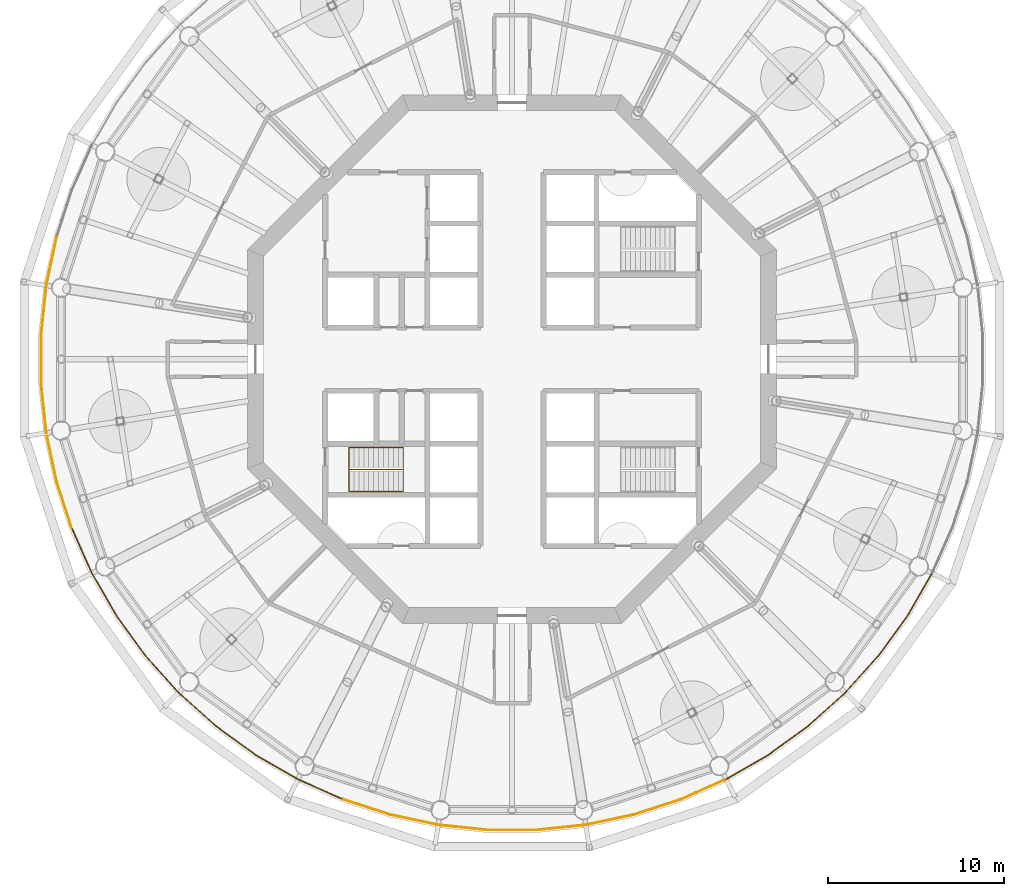
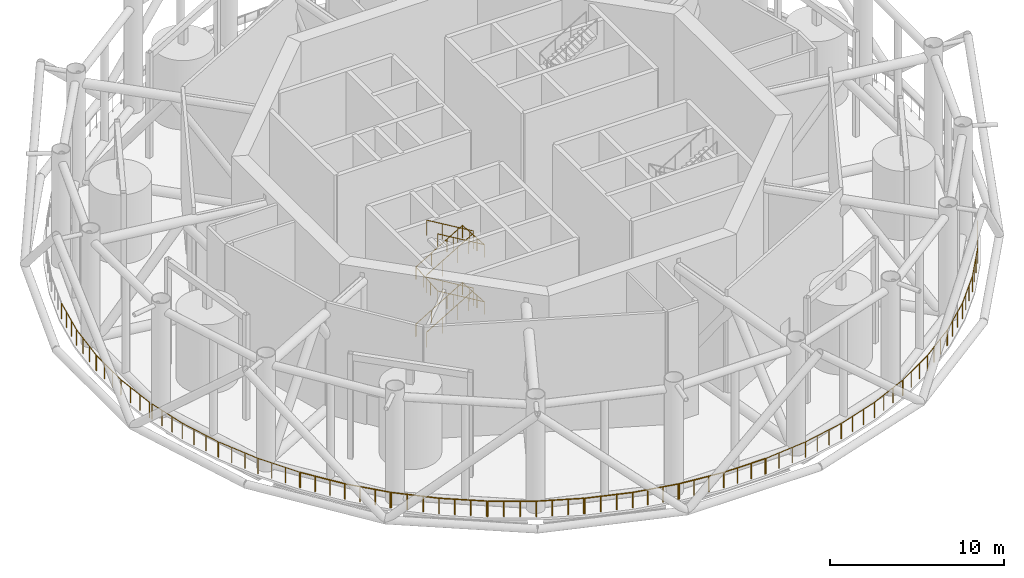
# One storey, part 19 of 22: 16 railings.
"""IFC4 building model written with IfcOpenShell, lengths in metres."""

from ifc_helpers import new_model, si_unit, direction, frame, origin, origin_2d, place, context, subcontext, project, spatial, circle, extrude, material, type_object, element, save


model = new_model("IFC4")

# Units and contexts
model_context = context("Model", 3, precision=1e-05, world=origin(), true_north=direction((0.0, 1.0)))
body_context = subcontext(model_context, "Body", "Model", "MODEL_VIEW")
ifc_project = project(units=[si_unit("LENGTHUNIT", "METRE"), si_unit("AREAUNIT", "SQUARE_METRE"), si_unit("VOLUMEUNIT", "CUBIC_METRE"), si_unit("PLANEANGLEUNIT", "RADIAN"), si_unit("MASSUNIT", "GRAM", prefix="KILO")], contexts=[model_context])

# Site, building, storey
site_placement = place(None, origin())
site = spatial("IfcSite", under=ifc_project, at=site_placement, CompositionType="ELEMENT")
building_placement = place(site_placement, origin())
building = spatial("IfcBuilding", under=site, at=building_placement, Name="Entoto Ring Tower", CompositionType="ELEMENT")
storey_placement = place(building_placement, frame((0.0, 0.0, 230.0)))
storey = spatial("IfcBuildingStorey", under=building, at=storey_placement, Name="L53", CompositionType="ELEMENT", Elevation=230.0)

# Railings
ifc_material_1 = material(Name="Stainless steel 316", Category="steel")
railing_type_1 = type_object("IfcRailingType", Name="Guard 1100 mm steel balustrade, slot floor", PredefinedType="GUARDRAIL", material=ifc_material_1)
railing_1_placement = place(storey_placement, frame((64.161376953125, 86.92333984375, 0.0)))
element("IfcRailing", 1, at=railing_1_placement, inside=storey, type_object=railing_type_1, Name="SLOT FLOOR GUARD 14", PredefinedType="GUARDRAIL", context=body_context, shape_type="SweptSolid", body=[
    extrude(circle(Radius=0.02490234375, at=origin_2d()), frame((0.0, 0.0, 1.0751953125), z_axis=(-0.207873355681, -0.978155748334, 0.0), x_axis=(0.978155748334, -0.207873355681, 0.0)), (0.0, 0.0, 1.0), 2.800048828125),
    extrude(circle(Radius=0.02490234375, at=origin_2d()), frame((-0.58203125, -2.73876953125, 1.0751953125), z_axis=(-0.104522437607, -0.994522528672, 0.0), x_axis=(0.994522528672, -0.104522437607, 0.0)), (0.0, 0.0, 1.0), 2.73974609375),
    extrude(circle(Radius=0.02490234375, at=origin_2d()), origin(), (0.0, 0.0, 1.0), 1.050048828125),
    extrude(circle(Radius=0.02490234375, at=origin_2d()), frame((-0.194091796875, -0.912841796875, 0.0)), (0.0, 0.0, 1.0), 1.050048828125),
    extrude(circle(Radius=0.02490234375, at=origin_2d()), frame((-0.387939453125, -1.825927734375, 0.0)), (0.0, 0.0, 1.0), 1.050048828125),
    extrude(circle(Radius=0.02490234375, at=origin_2d()), frame((-0.58203125, -2.73876953125, 0.0)), (0.0, 0.0, 1.0), 1.050048828125),
    extrude(circle(Radius=0.02490234375, at=origin_2d()), frame((-0.677490234375, -3.64697265625, 0.0)), (0.0, 0.0, 1.0), 1.050048828125),
    extrude(circle(Radius=0.02490234375, at=origin_2d()), frame((-0.77294921875, -4.555419921875, 0.0)), (0.0, 0.0, 1.0), 1.050048828125),
    extrude(circle(Radius=0.02490234375, at=origin_2d()), frame((-0.868408203125, -5.463623046875, 0.0)), (0.0, 0.0, 1.0), 1.050048828125),
])
railing_2_placement = place(storey_placement, frame((63.28662109375, 81.39990234375, 0.0)))
element("IfcRailing", 2, at=railing_2_placement, inside=storey, type_object=railing_type_1, Name="SLOT FLOOR GUARD 15", PredefinedType="GUARDRAIL", context=body_context, shape_type="SweptSolid", body=[
    extrude(circle(Radius=0.02490234375, at=origin_2d()), frame((0.0, 0.0, 1.0751953125), z_axis=(0.0, -1.0, 0.0), x_axis=(1.0, 0.0, 0.0)), (0.0, 0.0, 1.0), 2.7998046875),
    extrude(circle(Radius=0.02490234375, at=origin_2d()), frame((0.0, -2.7998046875, 1.0751953125), z_axis=(0.104544080685, -0.994520253788, 0.0), x_axis=(0.994520253788, 0.104544080685, 0.0)), (0.0, 0.0, 1.0), 2.800048828125),
    extrude(circle(Radius=0.02490234375, at=origin_2d()), origin(), (0.0, 0.0, 1.0), 1.050048828125),
    extrude(circle(Radius=0.02490234375, at=origin_2d()), frame((0.0, -0.933349609375, 0.0)), (0.0, 0.0, 1.0), 1.050048828125),
    extrude(circle(Radius=0.02490234375, at=origin_2d()), frame((0.0, -1.866455078125, 0.0)), (0.0, 0.0, 1.0), 1.050048828125),
    extrude(circle(Radius=0.02490234375, at=origin_2d()), frame((0.0, -2.7998046875, 0.0)), (0.0, 0.0, 1.0), 1.050048828125),
    extrude(circle(Radius=0.02490234375, at=origin_2d()), frame((0.09765625, -3.72802734375, 0.0)), (0.0, 0.0, 1.0), 1.050048828125),
    extrude(circle(Radius=0.02490234375, at=origin_2d()), frame((0.195068359375, -4.65625, 0.0)), (0.0, 0.0, 1.0), 1.050048828125),
    extrude(circle(Radius=0.02490234375, at=origin_2d()), frame((0.292724609375, -5.58447265625, 0.0)), (0.0, 0.0, 1.0), 1.050048828125),
])
railing_3_placement = place(storey_placement, frame((63.620849609375, 75.61962890625, 0.0)))
element("IfcRailing", 3, at=railing_3_placement, inside=storey, type_object=railing_type_1, Name="SLOT FLOOR GUARD 16", PredefinedType="GUARDRAIL", context=body_context, shape_type="SweptSolid", body=[
    extrude(circle(Radius=0.02490234375, at=origin_2d()), frame((0.0, 0.0, 1.0751953125), z_axis=(0.207912666004, -0.978147393451, 0.0), x_axis=(0.978147393451, 0.207912666004, 0.0)), (0.0, 0.0, 1.0), 2.599853515625),
    extrude(circle(Radius=0.02490234375, at=origin_2d()), frame((0.54052734375, -2.54296875, 1.0751953125), z_axis=(0.309082043016, -0.951035378251, 0.0), x_axis=(0.951035378251, 0.309082043016, 0.0)), (0.0, 0.0, 1.0), 2.740234375),
    extrude(circle(Radius=0.02490234375, at=origin_2d()), origin(), (0.0, 0.0, 1.0), 1.050048828125),
    extrude(circle(Radius=0.02490234375, at=origin_2d()), frame((0.18017578125, -0.84765625, 0.0)), (0.0, 0.0, 1.0), 1.050048828125),
    extrude(circle(Radius=0.02490234375, at=origin_2d()), frame((0.3603515625, -1.6953125, 0.0)), (0.0, 0.0, 1.0), 1.050048828125),
    extrude(circle(Radius=0.02490234375, at=origin_2d()), frame((0.54052734375, -2.54296875, 0.0)), (0.0, 0.0, 1.0), 1.050048828125),
    extrude(circle(Radius=0.02490234375, at=origin_2d()), frame((0.82275390625, -3.41162109375, 0.0)), (0.0, 0.0, 1.0), 1.050048828125),
    extrude(circle(Radius=0.02490234375, at=origin_2d()), frame((1.105224609375, -4.2802734375, 0.0)), (0.0, 0.0, 1.0), 1.050048828125),
    extrude(circle(Radius=0.02490234375, at=origin_2d()), frame((1.387451171875, -5.14892578125, 0.0)), (0.0, 0.0, 1.0), 1.050048828125),
])
railing_4_placement = place(storey_placement, frame((65.026611328125, 70.41357421875, 0.0)))
element("IfcRailing", 4, at=railing_4_placement, inside=storey, type_object=railing_type_1, Name="SLOT FLOOR GUARD 17", PredefinedType="GUARDRAIL", context=body_context, shape_type="SweptSolid", body=[
    extrude(circle(Radius=0.02490234375, at=origin_2d()), frame((0.0, 0.0, 1.0751953125), z_axis=(0.406761316386, -0.913534471978, 0.0), x_axis=(0.913534471978, 0.406761316386, 0.0)), (0.0, 0.0, 1.0), 2.800048828125),
    extrude(circle(Radius=0.02490234375, at=origin_2d()), frame((1.138916015625, -2.557861328125, 1.0751953125), z_axis=(0.500048966069, -0.865997131366, 0.0), x_axis=(0.865997131366, 0.500048966069, 0.0)), (0.0, 0.0, 1.0), 2.739990234375),
    extrude(circle(Radius=0.02490234375, at=origin_2d()), origin(), (0.0, 0.0, 1.0), 1.050048828125),
    extrude(circle(Radius=0.02490234375, at=origin_2d()), frame((0.379638671875, -0.8525390625, 0.0)), (0.0, 0.0, 1.0), 1.050048828125),
    extrude(circle(Radius=0.02490234375, at=origin_2d()), frame((0.75927734375, -1.705322265625, 0.0)), (0.0, 0.0, 1.0), 1.050048828125),
    extrude(circle(Radius=0.02490234375, at=origin_2d()), frame((1.138916015625, -2.557861328125, 0.0)), (0.0, 0.0, 1.0), 1.050048828125),
    extrude(circle(Radius=0.02490234375, at=origin_2d()), frame((1.595703125, -3.348876953125, 0.0)), (0.0, 0.0, 1.0), 1.050048828125),
    extrude(circle(Radius=0.02490234375, at=origin_2d()), frame((2.05224609375, -4.1396484375, 0.0)), (0.0, 0.0, 1.0), 1.050048828125),
    extrude(circle(Radius=0.02490234375, at=origin_2d()), frame((2.509033203125, -4.9306640625, 0.0)), (0.0, 0.0, 1.0), 1.050048828125),
])
railing_5_placement = place(storey_placement, frame((67.565673828125, 65.430908203125, 0.0)))
element("IfcRailing", 5, at=railing_5_placement, inside=storey, type_object=railing_type_1, Name="SLOT FLOOR GUARD 18", PredefinedType="GUARDRAIL", context=body_context, shape_type="SweptSolid", body=[
    extrude(circle(Radius=0.02490234375, at=origin_2d()), frame((0.0, 0.0, 1.0751953125), z_axis=(0.587793152327, -0.809011254605, 0.0), x_axis=(0.809011254605, 0.587793152327, 0.0)), (0.0, 0.0, 1.0), 2.7998046875),
    extrude(circle(Radius=0.02490234375, at=origin_2d()), frame((1.645751953125, -2.26513671875, 1.0751953125), z_axis=(0.669068103347, -0.743201098683, 0.0), x_axis=(0.743201098683, 0.669068103347, 0.0)), (0.0, 0.0, 1.0), 2.739990234375),
    extrude(circle(Radius=0.02490234375, at=origin_2d()), origin(), (0.0, 0.0, 1.0), 1.050048828125),
    extrude(circle(Radius=0.02490234375, at=origin_2d()), frame((0.548583984375, -0.755126953125, 0.0)), (0.0, 0.0, 1.0), 1.050048828125),
    extrude(circle(Radius=0.02490234375, at=origin_2d()), frame((1.09716796875, -1.510009765625, 0.0)), (0.0, 0.0, 1.0), 1.050048828125),
    extrude(circle(Radius=0.02490234375, at=origin_2d()), frame((1.645751953125, -2.26513671875, 0.0)), (0.0, 0.0, 1.0), 1.050048828125),
    extrude(circle(Radius=0.02490234375, at=origin_2d()), frame((2.2568359375, -2.94384765625, 0.0)), (0.0, 0.0, 1.0), 1.050048828125),
    extrude(circle(Radius=0.02490234375, at=origin_2d()), frame((2.867919921875, -3.622802734375, 0.0)), (0.0, 0.0, 1.0), 1.050048828125),
    extrude(circle(Radius=0.02490234375, at=origin_2d()), frame((3.47900390625, -4.301513671875, 0.0)), (0.0, 0.0, 1.0), 1.050048828125),
])
railing_6_placement = place(storey_placement, frame((71.0849609375, 61.0849609375, 0.0)))
element("IfcRailing", 6, at=railing_6_placement, inside=storey, type_object=railing_type_1, Name="SLOT FLOOR GUARD 19", PredefinedType="GUARDRAIL", context=body_context, shape_type="SweptSolid", body=[
    extrude(circle(Radius=0.02490234375, at=origin_2d()), frame((0.0, 0.0, 1.0751953125), z_axis=(0.743151054666, -0.66912368808, 0.0), x_axis=(0.66912368808, 0.743151054666, 0.0)), (0.0, 0.0, 1.0), 2.800048828125),
    extrude(circle(Radius=0.02490234375, at=origin_2d()), frame((2.080810546875, -1.87353515625, 1.0751953125), z_axis=(0.808986468951, -0.58782726464, 0.0), x_axis=(0.58782726464, 0.808986468951, 0.0)), (0.0, 0.0, 1.0), 2.739990234375),
    extrude(circle(Radius=0.02490234375, at=origin_2d()), origin(), (0.0, 0.0, 1.0), 1.050048828125),
    extrude(circle(Radius=0.02490234375, at=origin_2d()), frame((0.693603515625, -0.62451171875, 0.0)), (0.0, 0.0, 1.0), 1.050048828125),
    extrude(circle(Radius=0.02490234375, at=origin_2d()), frame((1.38720703125, -1.2490234375, 0.0)), (0.0, 0.0, 1.0), 1.050048828125),
    extrude(circle(Radius=0.02490234375, at=origin_2d()), frame((2.080810546875, -1.87353515625, 0.0)), (0.0, 0.0, 1.0), 1.050048828125),
    extrude(circle(Radius=0.02490234375, at=origin_2d()), frame((2.819580078125, -2.410400390625, 0.0)), (0.0, 0.0, 1.0), 1.050048828125),
    extrude(circle(Radius=0.02490234375, at=origin_2d()), frame((3.55859375, -2.947265625, 0.0)), (0.0, 0.0, 1.0), 1.050048828125),
    extrude(circle(Radius=0.02490234375, at=origin_2d()), frame((4.29736328125, -3.484130859375, 0.0)), (0.0, 0.0, 1.0), 1.050048828125),
])
railing_7_placement = place(storey_placement, frame((75.430908203125, 57.565673828125, 0.0)))
element("IfcRailing", 7, at=railing_7_placement, inside=storey, type_object=railing_type_1, Name="SLOT FLOOR GUARD 20", PredefinedType="GUARDRAIL", context=body_context, shape_type="SweptSolid", body=[
    extrude(circle(Radius=0.02490234375, at=origin_2d()), frame((0.0, 0.0, 1.0751953125), z_axis=(0.865996816683, -0.500049511043, 0.0), x_axis=(0.500049511043, 0.865996816683, 0.0)), (0.0, 0.0, 1.0), 2.800048828125),
    extrude(circle(Radius=0.02490234375, at=origin_2d()), frame((2.4248046875, -1.400146484375, 1.0751953125), z_axis=(0.913543130543, -0.406741869787, 0.0), x_axis=(0.406741869787, 0.913543130543, 0.0)), (0.0, 0.0, 1.0), 2.739990234375),
    extrude(circle(Radius=0.02490234375, at=origin_2d()), origin(), (0.0, 0.0, 1.0), 1.050048828125),
    extrude(circle(Radius=0.02490234375, at=origin_2d()), frame((0.808349609375, -0.466796875, 0.0)), (0.0, 0.0, 1.0), 1.050048828125),
    extrude(circle(Radius=0.02490234375, at=origin_2d()), frame((1.616455078125, -0.933349609375, 0.0)), (0.0, 0.0, 1.0), 1.050048828125),
    extrude(circle(Radius=0.02490234375, at=origin_2d()), frame((2.4248046875, -1.400146484375, 0.0)), (0.0, 0.0, 1.0), 1.050048828125),
    extrude(circle(Radius=0.02490234375, at=origin_2d()), frame((3.25927734375, -1.771728515625, 0.0)), (0.0, 0.0, 1.0), 1.050048828125),
    extrude(circle(Radius=0.02490234375, at=origin_2d()), frame((4.093505859375, -2.14306640625, 0.0)), (0.0, 0.0, 1.0), 1.050048828125),
    extrude(circle(Radius=0.02490234375, at=origin_2d()), frame((4.927978515625, -2.5146484375, 0.0)), (0.0, 0.0, 1.0), 1.050048828125),
])
railing_8_placement = place(storey_placement, frame((80.41357421875, 55.026611328125, 0.0)))
element("IfcRailing", 8, at=railing_8_placement, inside=storey, type_object=railing_type_1, Name="SLOT FLOOR GUARD 21", PredefinedType="GUARDRAIL", context=body_context, shape_type="SweptSolid", body=[
    extrude(circle(Radius=0.02490234375, at=origin_2d()), frame((0.0, 0.0, 1.0751953125), z_axis=(0.951062257173, -0.308999325213, 0.0), x_axis=(0.308999325213, 0.951062257173, 0.0)), (0.0, 0.0, 1.0), 2.800048828125),
    extrude(circle(Radius=0.02490234375, at=origin_2d()), frame((2.6630859375, -0.865234375, 1.0751953125), z_axis=(0.978151829796, -0.207891793652, 0.0), x_axis=(0.207891793652, 0.978151829796, 0.0)), (0.0, 0.0, 1.0), 2.73974609375),
    extrude(circle(Radius=0.02490234375, at=origin_2d()), origin(), (0.0, 0.0, 1.0), 1.050048828125),
    extrude(circle(Radius=0.02490234375, at=origin_2d()), frame((0.8876953125, -0.288330078125, 0.0)), (0.0, 0.0, 1.0), 1.050048828125),
    extrude(circle(Radius=0.02490234375, at=origin_2d()), frame((1.775390625, -0.576904296875, 0.0)), (0.0, 0.0, 1.0), 1.050048828125),
    extrude(circle(Radius=0.02490234375, at=origin_2d()), frame((2.6630859375, -0.865234375, 0.0)), (0.0, 0.0, 1.0), 1.050048828125),
    extrude(circle(Radius=0.02490234375, at=origin_2d()), frame((3.556396484375, -1.05517578125, 0.0)), (0.0, 0.0, 1.0), 1.050048828125),
    extrude(circle(Radius=0.02490234375, at=origin_2d()), frame((4.44970703125, -1.244873046875, 0.0)), (0.0, 0.0, 1.0), 1.050048828125),
    extrude(circle(Radius=0.02490234375, at=origin_2d()), frame((5.343017578125, -1.434814453125, 0.0)), (0.0, 0.0, 1.0), 1.050048828125),
])
railing_9_placement = place(storey_placement, frame((85.8154296875, 53.579345703125, 0.0)))
element("IfcRailing", 9, at=railing_9_placement, inside=storey, type_object=railing_type_1, Name="SLOT FLOOR GUARD 22", PredefinedType="GUARDRAIL", context=body_context, shape_type="SweptSolid", body=[
    extrude(circle(Radius=0.02490234375, at=origin_2d()), frame((0.0, 0.0, 1.0751953125), z_axis=(0.994520253788, -0.104544080685, 0.0), x_axis=(0.104544080685, 0.994520253788, 0.0)), (0.0, 0.0, 1.0), 2.800048828125),
    extrude(circle(Radius=0.02490234375, at=origin_2d()), frame((2.78466796875, -0.292724609375, 1.0751953125), z_axis=(1.0, 0.0, 0.0), x_axis=(0.0, 1.0, 0.0)), (0.0, 0.0, 1.0), 2.739990234375),
    extrude(circle(Radius=0.02490234375, at=origin_2d()), origin(), (0.0, 0.0, 1.0), 1.050048828125),
    extrude(circle(Radius=0.02490234375, at=origin_2d()), frame((0.92822265625, -0.09765625, 0.0)), (0.0, 0.0, 1.0), 1.050048828125),
    extrude(circle(Radius=0.02490234375, at=origin_2d()), frame((1.8564453125, -0.195068359375, 0.0)), (0.0, 0.0, 1.0), 1.050048828125),
    extrude(circle(Radius=0.02490234375, at=origin_2d()), frame((2.78466796875, -0.292724609375, 0.0)), (0.0, 0.0, 1.0), 1.050048828125),
    extrude(circle(Radius=0.02490234375, at=origin_2d()), frame((3.697998046875, -0.292724609375, 0.0)), (0.0, 0.0, 1.0), 1.050048828125),
    extrude(circle(Radius=0.02490234375, at=origin_2d()), frame((4.611328125, -0.292724609375, 0.0)), (0.0, 0.0, 1.0), 1.050048828125),
    extrude(circle(Radius=0.02490234375, at=origin_2d()), frame((5.524658203125, -0.292724609375, 0.0)), (0.0, 0.0, 1.0), 1.050048828125),
])
railing_10_placement = place(storey_placement, frame((91.39990234375, 53.28662109375, 0.0)))
element("IfcRailing", 10, at=railing_10_placement, inside=storey, type_object=railing_type_1, Name="SLOT FLOOR GUARD 23", PredefinedType="GUARDRAIL", context=body_context, shape_type="SweptSolid", body=[
    extrude(circle(Radius=0.02490234375, at=origin_2d()), frame((0.0, 0.0, 1.0751953125), z_axis=(0.994520253788, 0.104544080685, 0.0), x_axis=(-0.104544080685, 0.994520253788, 0.0)), (0.0, 0.0, 1.0), 2.800048828125),
    extrude(circle(Radius=0.02490234375, at=origin_2d()), frame((2.78466796875, 0.292724609375, 1.0751953125), z_axis=(0.978155680503, 0.20787367486, 0.0), x_axis=(-0.20787367486, 0.978155680503, 0.0)), (0.0, 0.0, 1.0), 2.739990234375),
    extrude(circle(Radius=0.02490234375, at=origin_2d()), origin(), (0.0, 0.0, 1.0), 1.050048828125),
    extrude(circle(Radius=0.02490234375, at=origin_2d()), frame((0.92822265625, 0.09765625, 0.0)), (0.0, 0.0, 1.0), 1.050048828125),
    extrude(circle(Radius=0.02490234375, at=origin_2d()), frame((1.8564453125, 0.195068359375, 0.0)), (0.0, 0.0, 1.0), 1.050048828125),
    extrude(circle(Radius=0.02490234375, at=origin_2d()), frame((2.78466796875, 0.292724609375, 0.0)), (0.0, 0.0, 1.0), 1.050048828125),
    extrude(circle(Radius=0.02490234375, at=origin_2d()), frame((3.677978515625, 0.482666015625, 0.0)), (0.0, 0.0, 1.0), 1.050048828125),
    extrude(circle(Radius=0.02490234375, at=origin_2d()), frame((4.571533203125, 0.67236328125, 0.0)), (0.0, 0.0, 1.0), 1.050048828125),
    extrude(circle(Radius=0.02490234375, at=origin_2d()), frame((5.46484375, 0.8623046875, 0.0)), (0.0, 0.0, 1.0), 1.050048828125),
])
railing_11_placement = place(storey_placement, frame((96.92333984375, 54.161376953125, 0.0)))
element("IfcRailing", 11, at=railing_11_placement, inside=storey, type_object=railing_type_1, Name="SLOT FLOOR GUARD 24", PredefinedType="GUARDRAIL", context=body_context, shape_type="SweptSolid", body=[
    extrude(circle(Radius=0.02490234375, at=origin_2d()), frame((0.0, 0.0, 1.0751953125), z_axis=(0.951062257173, 0.308999325213, 0.0), x_axis=(-0.308999325213, 0.951062257173, 0.0)), (0.0, 0.0, 1.0), 2.800048828125),
    extrude(circle(Radius=0.02490234375, at=origin_2d()), frame((2.6630859375, 0.865234375, 1.0751953125), z_axis=(0.913528388119, 0.406774979688, 0.0), x_axis=(-0.406774979688, 0.913528388119, 0.0)), (0.0, 0.0, 1.0), 2.73974609375),
    extrude(circle(Radius=0.02490234375, at=origin_2d()), origin(), (0.0, 0.0, 1.0), 1.050048828125),
    extrude(circle(Radius=0.02490234375, at=origin_2d()), frame((0.8876953125, 0.288330078125, 0.0)), (0.0, 0.0, 1.0), 1.050048828125),
    extrude(circle(Radius=0.02490234375, at=origin_2d()), frame((1.775390625, 0.576904296875, 0.0)), (0.0, 0.0, 1.0), 1.050048828125),
    extrude(circle(Radius=0.02490234375, at=origin_2d()), frame((2.6630859375, 0.865234375, 0.0)), (0.0, 0.0, 1.0), 1.050048828125),
    extrude(circle(Radius=0.02490234375, at=origin_2d()), frame((3.497314453125, 1.23681640625, 0.0)), (0.0, 0.0, 1.0), 1.050048828125),
    extrude(circle(Radius=0.02490234375, at=origin_2d()), frame((4.331787109375, 1.608154296875, 0.0)), (0.0, 0.0, 1.0), 1.050048828125),
    extrude(circle(Radius=0.02490234375, at=origin_2d()), frame((5.166015625, 1.979736328125, 0.0)), (0.0, 0.0, 1.0), 1.050048828125),
])
railing_12_placement = place(storey_placement, frame((102.144287109375, 56.16552734375, 0.0)))
element("IfcRailing", 12, at=railing_12_placement, inside=storey, type_object=railing_type_1, Name="SLOT FLOOR GUARD 25", PredefinedType="GUARDRAIL", context=body_context, shape_type="SweptSolid", body=[
    extrude(circle(Radius=0.02490234375, at=origin_2d()), frame((0.0, 0.0, 1.0751953125), z_axis=(0.865996816683, 0.500049511043, 0.0), x_axis=(-0.500049511043, 0.865996816683, 0.0)), (0.0, 0.0, 1.0), 2.800048828125),
    extrude(circle(Radius=0.02490234375, at=origin_2d()), frame((2.4248046875, 1.400146484375, 1.0751953125), z_axis=(0.809059624236, 0.587726572848, 0.0), x_axis=(-0.587726572848, 0.809059624236, 0.0)), (0.0, 0.0, 1.0), 2.739990234375),
    extrude(circle(Radius=0.02490234375, at=origin_2d()), origin(), (0.0, 0.0, 1.0), 1.050048828125),
    extrude(circle(Radius=0.02490234375, at=origin_2d()), frame((0.808349609375, 0.466796875, 0.0)), (0.0, 0.0, 1.0), 1.050048828125),
    extrude(circle(Radius=0.02490234375, at=origin_2d()), frame((1.616455078125, 0.933349609375, 0.0)), (0.0, 0.0, 1.0), 1.050048828125),
    extrude(circle(Radius=0.02490234375, at=origin_2d()), frame((2.4248046875, 1.400146484375, 0.0)), (0.0, 0.0, 1.0), 1.050048828125),
    extrude(circle(Radius=0.02490234375, at=origin_2d()), frame((3.163818359375, 1.93701171875, 0.0)), (0.0, 0.0, 1.0), 1.050048828125),
    extrude(circle(Radius=0.02490234375, at=origin_2d()), frame((3.902587890625, 2.4736328125, 0.0)), (0.0, 0.0, 1.0), 1.050048828125),
    extrude(circle(Radius=0.02490234375, at=origin_2d()), frame((4.6416015625, 3.010498046875, 0.0)), (0.0, 0.0, 1.0), 1.050048828125),
])
railing_13_placement = place(storey_placement, frame((106.834228515625, 59.21142578125, 0.0)))
element("IfcRailing", 13, at=railing_13_placement, inside=storey, type_object=railing_type_1, Name="SLOT FLOOR GUARD 26", PredefinedType="GUARDRAIL", context=body_context, shape_type="SweptSolid", body=[
    extrude(circle(Radius=0.02490234375, at=origin_2d()), frame((0.0, 0.0, 1.0751953125), z_axis=(0.743151054666, 0.66912368808, 0.0), x_axis=(-0.66912368808, 0.743151054666, 0.0)), (0.0, 0.0, 1.0), 2.800048828125),
    extrude(circle(Radius=0.02490234375, at=origin_2d()), frame((2.080810546875, 1.87353515625, 1.0751953125), z_axis=(0.669161620293, 0.743116899234, 0.0), x_axis=(-0.743116899234, 0.669161620293, 0.0)), (0.0, 0.0, 1.0), 2.739990234375),
    extrude(circle(Radius=0.02490234375, at=origin_2d()), origin(), (0.0, 0.0, 1.0), 1.050048828125),
    extrude(circle(Radius=0.02490234375, at=origin_2d()), frame((0.693603515625, 0.62451171875, 0.0)), (0.0, 0.0, 1.0), 1.050048828125),
    extrude(circle(Radius=0.02490234375, at=origin_2d()), frame((1.38720703125, 1.2490234375, 0.0)), (0.0, 0.0, 1.0), 1.050048828125),
    extrude(circle(Radius=0.02490234375, at=origin_2d()), frame((2.080810546875, 1.87353515625, 0.0)), (0.0, 0.0, 1.0), 1.050048828125),
    extrude(circle(Radius=0.02490234375, at=origin_2d()), frame((2.69189453125, 2.55224609375, 0.0)), (0.0, 0.0, 1.0), 1.050048828125),
    extrude(circle(Radius=0.02490234375, at=origin_2d()), frame((3.30322265625, 3.23095703125, 0.0)), (0.0, 0.0, 1.0), 1.050048828125),
    extrude(circle(Radius=0.02490234375, at=origin_2d()), frame((3.914306640625, 3.90966796875, 0.0)), (0.0, 0.0, 1.0), 1.050048828125),
])
railing_14_placement = place(storey_placement, frame((110.78857421875, 63.165771484375, 0.0)))
element("IfcRailing", 14, at=railing_14_placement, inside=storey, type_object=railing_type_1, Name="SLOT FLOOR GUARD 27", PredefinedType="GUARDRAIL", context=body_context, shape_type="SweptSolid", body=[
    extrude(circle(Radius=0.02490234375, at=origin_2d()), frame((0.0, 0.0, 1.0751953125), z_axis=(0.587793152327, 0.809011254605, 0.0), x_axis=(-0.809011254605, 0.587793152327, 0.0)), (0.0, 0.0, 1.0), 2.7998046875),
    extrude(circle(Radius=0.02490234375, at=origin_2d()), frame((1.645751953125, 2.26513671875, 1.0751953125), z_axis=(0.500048966069, 0.865997131366, 0.0), x_axis=(-0.865997131366, 0.500048966069, 0.0)), (0.0, 0.0, 1.0), 2.739990234375),
    extrude(circle(Radius=0.02490234375, at=origin_2d()), origin(), (0.0, 0.0, 1.0), 1.050048828125),
    extrude(circle(Radius=0.02490234375, at=origin_2d()), frame((0.548583984375, 0.755126953125, 0.0)), (0.0, 0.0, 1.0), 1.050048828125),
    extrude(circle(Radius=0.02490234375, at=origin_2d()), frame((1.09716796875, 1.510009765625, 0.0)), (0.0, 0.0, 1.0), 1.050048828125),
    extrude(circle(Radius=0.02490234375, at=origin_2d()), frame((1.645751953125, 2.26513671875, 0.0)), (0.0, 0.0, 1.0), 1.050048828125),
    extrude(circle(Radius=0.02490234375, at=origin_2d()), frame((2.1025390625, 3.05615234375, 0.0)), (0.0, 0.0, 1.0), 1.050048828125),
    extrude(circle(Radius=0.02490234375, at=origin_2d()), frame((2.55908203125, 3.846923828125, 0.0)), (0.0, 0.0, 1.0), 1.050048828125),
    extrude(circle(Radius=0.02490234375, at=origin_2d()), frame((3.015869140625, 4.637939453125, 0.0)), (0.0, 0.0, 1.0), 1.050048828125),
])
ifc_material_2 = material(Name="Steel S275", Category="steel")
railing_type_2 = type_object("IfcRailingType", Name="Stair guard 1100 mm steel", PredefinedType="GUARDRAIL", material=ifc_material_2)
railing_15_placement = place(storey_placement, frame((80.75, 73.75, 0.166748046875)))
element("IfcRailing", 15, at=railing_15_placement, inside=storey, type_object=railing_type_2, Name="Guard ST2", PredefinedType="GUARDRAIL", context=body_context, shape_type="SweptSolid", body=[
    extrude(circle(Radius=0.02392578125, at=origin_2d()), frame((0.0, 0.0, 1.076171875), z_axis=(0.859308565015, 0.0, 0.511457515432), x_axis=(0.0, 1.0, 0.0)), (0.0, 0.0, 1.0), 3.58447265625),
    extrude(circle(Radius=0.02392578125, at=origin_2d()), frame((3.080078125, 0.0, 2.9091796875), z_axis=(0.0, 0.0, 1.0), x_axis=(1.0, 0.0, 0.0)), (0.0, 0.0, 1.0), 0.166748046875),
    extrude(circle(Radius=0.02392578125, at=origin_2d()), frame((3.080078125, 0.0, 3.076171875), z_axis=(-0.859308565015, 0.0, 0.511457515432), x_axis=(0.0, -1.0, 0.0)), (0.0, 0.0, 1.0), 3.58447265625),
    extrude(circle(Radius=0.02392578125, at=origin_2d()), frame((0.0, 0.0, 4.9091796875), z_axis=(0.0, 0.0, 1.0), x_axis=(1.0, 0.0, 0.0)), (0.0, 0.0, 1.0), 0.166748046875),
    extrude(circle(Radius=0.02392578125, at=origin_2d()), frame((0.0, 0.0, 5.076171875), z_axis=(0.859308565015, 0.0, 0.511457515432), x_axis=(0.0, 1.0, 0.0)), (0.0, 0.0, 1.0), 3.58447265625),
    extrude(circle(Radius=0.02392578125, at=origin_2d()), frame((3.080078125, 0.0, 6.9091796875), z_axis=(0.0, 0.0, 1.0), x_axis=(1.0, 0.0, 0.0)), (0.0, 0.0, 1.0), 0.166748046875),
    extrude(circle(Radius=0.02392578125, at=origin_2d()), frame((3.080078125, 0.0, 7.076171875), z_axis=(-0.859308565015, 0.0, 0.511457515432), x_axis=(0.0, -1.0, 0.0)), (0.0, 0.0, 1.0), 3.58447265625),
    extrude(circle(Radius=0.02099609375, at=origin_2d()), origin(), (0.0, 0.0, 1.0), 1.052001953125),
    extrude(circle(Radius=0.02099609375, at=origin_2d()), frame((1.026611328125, 0.0, 0.611083984375)), (0.0, 0.0, 1.0), 1.052001953125),
    extrude(circle(Radius=0.02099609375, at=origin_2d()), frame((2.053466796875, 0.0, 1.22216796875)), (0.0, 0.0, 1.0), 1.052001953125),
    extrude(circle(Radius=0.02099609375, at=origin_2d()), frame((3.080078125, 0.0, 1.833251953125)), (0.0, 0.0, 1.0), 1.052001953125),
    extrude(circle(Radius=0.02099609375, at=origin_2d()), frame((3.080078125, 0.0, 2.0)), (0.0, 0.0, 1.0), 1.052001953125),
    extrude(circle(Radius=0.02099609375, at=origin_2d()), frame((2.053466796875, 0.0, 2.611083984375)), (0.0, 0.0, 1.0), 1.052001953125),
    extrude(circle(Radius=0.02099609375, at=origin_2d()), frame((1.026611328125, 0.0, 3.22216796875)), (0.0, 0.0, 1.0), 1.052001953125),
    extrude(circle(Radius=0.02099609375, at=origin_2d()), frame((0.0, 0.0, 3.833251953125)), (0.0, 0.0, 1.0), 1.052001953125),
    extrude(circle(Radius=0.02099609375, at=origin_2d()), frame((0.0, 0.0, 4.0)), (0.0, 0.0, 1.0), 1.052001953125),
    extrude(circle(Radius=0.02099609375, at=origin_2d()), frame((1.026611328125, 0.0, 4.611083984375)), (0.0, 0.0, 1.0), 1.052001953125),
    extrude(circle(Radius=0.02099609375, at=origin_2d()), frame((2.053466796875, 0.0, 5.22216796875)), (0.0, 0.0, 1.0), 1.052001953125),
    extrude(circle(Radius=0.02099609375, at=origin_2d()), frame((3.080078125, 0.0, 5.833251953125)), (0.0, 0.0, 1.0), 1.052001953125),
    extrude(circle(Radius=0.02099609375, at=origin_2d()), frame((3.080078125, 0.0, 6.0)), (0.0, 0.0, 1.0), 1.052001953125),
    extrude(circle(Radius=0.02099609375, at=origin_2d()), frame((2.053466796875, 0.0, 6.611083984375)), (0.0, 0.0, 1.0), 1.052001953125),
    extrude(circle(Radius=0.02099609375, at=origin_2d()), frame((1.026611328125, 0.0, 7.22216796875)), (0.0, 0.0, 1.0), 1.052001953125),
    extrude(circle(Radius=0.02099609375, at=origin_2d()), frame((0.0, 0.0, 7.833251953125)), (0.0, 0.0, 1.0), 1.052001953125),
])
ifc_material_3 = material(Name="Steel S275", Category="steel")
railing_type_3 = type_object("IfcRailingType", Name="Stair handrail 900 mm steel", PredefinedType="HANDRAIL", material=ifc_material_3)
railing_16_placement = place(storey_placement, frame((80.75, 75.0, 0.166748046875)))
element("IfcRailing", 16, at=railing_16_placement, inside=storey, type_object=railing_type_3, Name="Handrail ST2", PredefinedType="HANDRAIL", context=body_context, shape_type="SweptSolid", body=[
    extrude(circle(Radius=0.02392578125, at=origin_2d()), frame((0.0, 0.0, 0.8759765625), z_axis=(0.859308565015, 0.0, 0.511457515432), x_axis=(0.0, 1.0, 0.0)), (0.0, 0.0, 1.0), 3.58447265625),
    extrude(circle(Radius=0.02392578125, at=origin_2d()), frame((3.080078125, 0.0, 2.708984375), z_axis=(0.0, -0.997783001586, 0.066551346688), x_axis=(1.0, 0.0, 0.0)), (0.0, 0.0, 1.0), 2.505615234375),
    extrude(circle(Radius=0.02392578125, at=origin_2d()), frame((3.080078125, -2.5, 2.8759765625), z_axis=(-0.859308565015, 0.0, 0.511457515432), x_axis=(0.0, -1.0, 0.0)), (0.0, 0.0, 1.0), 3.58447265625),
    extrude(circle(Radius=0.02392578125, at=origin_2d()), frame((0.0, -2.5, 4.708984375), z_axis=(0.0, 0.997783001586, 0.066551346688), x_axis=(-1.0, 0.0, 0.0)), (0.0, 0.0, 1.0), 2.505615234375),
    extrude(circle(Radius=0.02392578125, at=origin_2d()), frame((0.0, 0.0, 4.8759765625), z_axis=(0.859308565015, 0.0, 0.511457515432), x_axis=(0.0, 1.0, 0.0)), (0.0, 0.0, 1.0), 3.58447265625),
    extrude(circle(Radius=0.02392578125, at=origin_2d()), frame((3.080078125, 0.0, 6.708984375), z_axis=(0.0, -0.997783001586, 0.066551346688), x_axis=(1.0, 0.0, 0.0)), (0.0, 0.0, 1.0), 2.505615234375),
    extrude(circle(Radius=0.02392578125, at=origin_2d()), frame((3.080078125, -2.5, 6.8759765625), z_axis=(-0.859308565015, 0.0, 0.511457515432), x_axis=(0.0, -1.0, 0.0)), (0.0, 0.0, 1.0), 3.58447265625),
    extrude(circle(Radius=0.02099609375, at=origin_2d()), origin(), (0.0, 0.0, 1.0), 0.851806640625),
    extrude(circle(Radius=0.02099609375, at=origin_2d()), frame((1.026611328125, 0.0, 0.611083984375)), (0.0, 0.0, 1.0), 0.851806640625),
    extrude(circle(Radius=0.02099609375, at=origin_2d()), frame((2.053466796875, 0.0, 1.22216796875)), (0.0, 0.0, 1.0), 0.851806640625),
    extrude(circle(Radius=0.02099609375, at=origin_2d()), frame((3.080078125, 0.0, 1.833251953125)), (0.0, 0.0, 1.0), 0.851806640625),
    extrude(circle(Radius=0.02099609375, at=origin_2d()), frame((3.080078125, -0.833251953125, 1.888916015625)), (0.0, 0.0, 1.0), 0.851806640625),
    extrude(circle(Radius=0.02099609375, at=origin_2d()), frame((3.080078125, -1.666748046875, 1.9443359375)), (0.0, 0.0, 1.0), 0.851806640625),
    extrude(circle(Radius=0.02099609375, at=origin_2d()), frame((3.080078125, -2.5, 2.0)), (0.0, 0.0, 1.0), 0.851806640625),
    extrude(circle(Radius=0.02099609375, at=origin_2d()), frame((2.053466796875, -2.5, 2.611083984375)), (0.0, 0.0, 1.0), 0.851806640625),
    extrude(circle(Radius=0.02099609375, at=origin_2d()), frame((1.026611328125, -2.5, 3.22216796875)), (0.0, 0.0, 1.0), 0.851806640625),
    extrude(circle(Radius=0.02099609375, at=origin_2d()), frame((0.0, -2.5, 3.833251953125)), (0.0, 0.0, 1.0), 0.851806640625),
    extrude(circle(Radius=0.02099609375, at=origin_2d()), frame((0.0, -1.666748046875, 3.888916015625)), (0.0, 0.0, 1.0), 0.851806640625),
    extrude(circle(Radius=0.02099609375, at=origin_2d()), frame((0.0, -0.833251953125, 3.9443359375)), (0.0, 0.0, 1.0), 0.851806640625),
    extrude(circle(Radius=0.02099609375, at=origin_2d()), frame((0.0, 0.0, 4.0)), (0.0, 0.0, 1.0), 0.851806640625),
    extrude(circle(Radius=0.02099609375, at=origin_2d()), frame((1.026611328125, 0.0, 4.611083984375)), (0.0, 0.0, 1.0), 0.851806640625),
    extrude(circle(Radius=0.02099609375, at=origin_2d()), frame((2.053466796875, 0.0, 5.22216796875)), (0.0, 0.0, 1.0), 0.851806640625),
    extrude(circle(Radius=0.02099609375, at=origin_2d()), frame((3.080078125, 0.0, 5.833251953125)), (0.0, 0.0, 1.0), 0.851806640625),
    extrude(circle(Radius=0.02099609375, at=origin_2d()), frame((3.080078125, -0.833251953125, 5.888916015625)), (0.0, 0.0, 1.0), 0.851806640625),
    extrude(circle(Radius=0.02099609375, at=origin_2d()), frame((3.080078125, -1.666748046875, 5.9443359375)), (0.0, 0.0, 1.0), 0.851806640625),
    extrude(circle(Radius=0.02099609375, at=origin_2d()), frame((3.080078125, -2.5, 6.0)), (0.0, 0.0, 1.0), 0.851806640625),
    extrude(circle(Radius=0.02099609375, at=origin_2d()), frame((2.053466796875, -2.5, 6.611083984375)), (0.0, 0.0, 1.0), 0.851806640625),
    extrude(circle(Radius=0.02099609375, at=origin_2d()), frame((1.026611328125, -2.5, 7.22216796875)), (0.0, 0.0, 1.0), 0.851806640625),
    extrude(circle(Radius=0.02099609375, at=origin_2d()), frame((0.0, -2.5, 7.833251953125)), (0.0, 0.0, 1.0), 0.851806640625),
])

save(model, "model.ifc")
